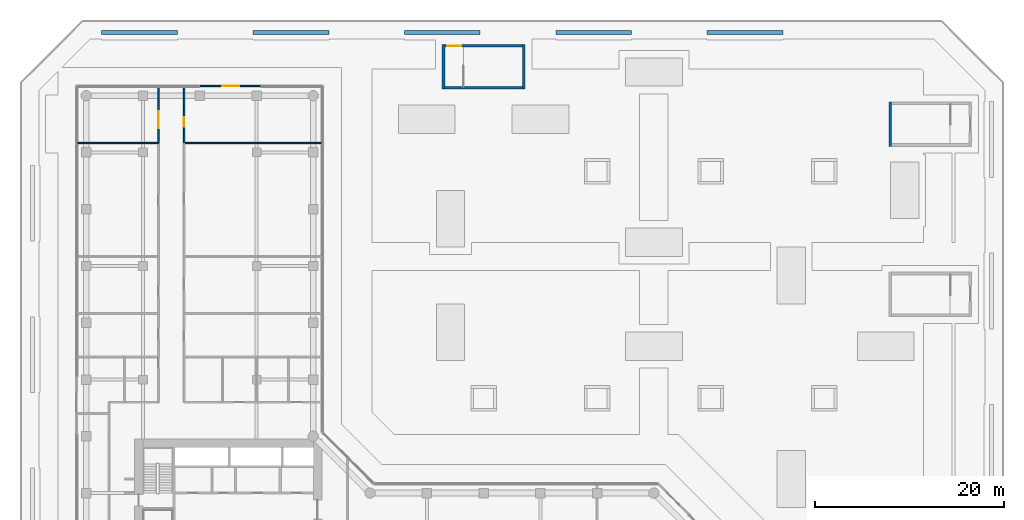
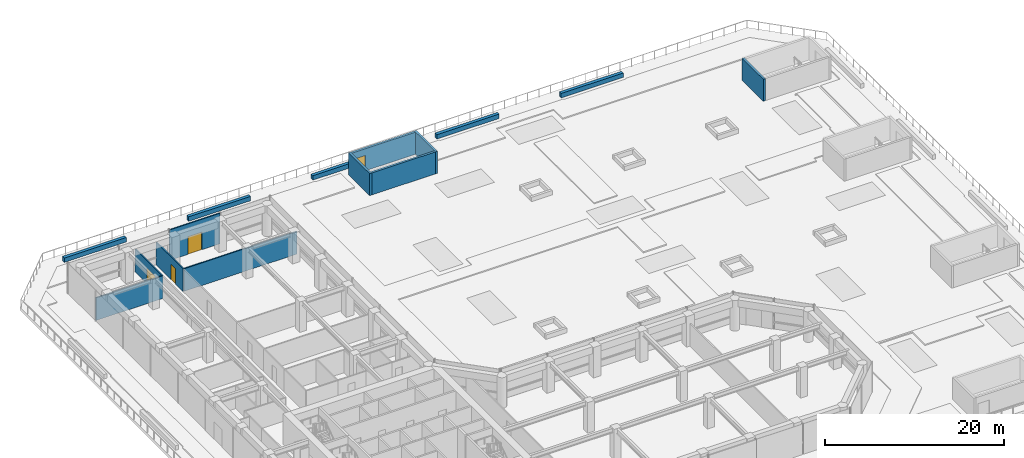
# One storey, part 28 of 31: 15 walls, 4 doors, 4 openings.
"""IFC4 building model written with IfcOpenShell, lengths in metres."""

from ifc_helpers import new_model, si_unit, direction, frame, frame_2d, origin, place, context, subcontext, project, spatial, rectangle, extrude, material, layer, layer_set, type_object, element, fill, save


model = new_model("IFC4")

# Units and contexts
model_context = context("Model", 3, precision=1e-05, world=origin(), true_north=direction((0.0, 1.0)))
body_context = subcontext(model_context, "Body", "Model", "MODEL_VIEW")
ifc_project = project(units=[si_unit("LENGTHUNIT", "METRE"), si_unit("AREAUNIT", "SQUARE_METRE"), si_unit("VOLUMEUNIT", "CUBIC_METRE"), si_unit("PLANEANGLEUNIT", "RADIAN"), si_unit("MASSUNIT", "GRAM", prefix="KILO")], contexts=[model_context])

# Site, building, storey
site_placement = place(None, origin())
site = spatial("IfcSite", under=ifc_project, at=site_placement, CompositionType="ELEMENT")
building_placement = place(site_placement, origin())
building = spatial("IfcBuilding", under=site, at=building_placement, Name="Welwitschia Terrace Campus", CompositionType="ELEMENT")
storey_placement = place(building_placement, frame((0.0, 0.0, 11.0)))
storey = spatial("IfcBuildingStorey", under=building, at=storey_placement, Name="L02", CompositionType="ELEMENT", Elevation=11.0)

# Wall, opening, door
ifc_material_1 = material(Name="Concrete C40/50", Category="concrete")
ifc_layer_1 = layer(ifc_material_1, 0.139892578125)
ifc_layer_set_1 = layer_set([ifc_layer_1], Name="Concrete C40/50")
wall_type_1 = type_object("IfcWallType", Name="Clad wall 140", PredefinedType="SOLIDWALL", material=ifc_layer_set_1)
wall_1_placement = place(storey_placement, frame((18.510009765625, 63.02001953125, 0.0), z_axis=(0.0, 0.0, 1.0), x_axis=(-1.0, 0.0, 0.0)))
wall_1 = element("IfcWall", 1, at=wall_1_placement, inside=storey, type_object=wall_type_1, Name="Clad wall L02.deck door N", PredefinedType="SOLIDWALL", context=body_context, shape_type="SweptSolid", body=[
    extrude(rectangle(XDim=6.510009765625, YDim=0.139892578125, at=frame_2d((3.2548828125, 0.0))), origin(), (0.0, 0.0, 1.0), 4.14990234375),
])
opening_1_placement = place(wall_1_placement, frame((2.35498046875, 0.0, 0.0)))
opening_1 = element("IfcOpeningElement", 2, at=opening_1_placement, cuts=wall_1, Name="Opening DE3", PredefinedType="OPENING", context=body_context, shape_type="SweptSolid", body=[
    extrude(rectangle(XDim=1.800048828125, YDim=2.39990234375, at=frame_2d((0.89990234375, 1.199951171875))), frame((0.0, 0.079833984375, 0.0), z_axis=(0.0, -1.0, 0.0), x_axis=(1.0, 0.0, 0.0)), (0.0, 0.0, 1.0), 0.159912109375),
])
ifc_material_2 = material(Name="Bronze anodised aluminium and glass", Category="aluminium")
door_type_1 = type_object("IfcDoorType", Name="Terrace door 1800x2400", OperationType="DOUBLE_DOOR_DOUBLE_SWING", PredefinedType="DOOR", material=ifc_material_2)
door_1_placement = place(opening_1_placement, origin())
door_1 = element("IfcDoor", 3, at=door_1_placement, inside=storey, type_object=door_type_1, Name="Door L02:N", OperationType="DOUBLE_DOOR_DOUBLE_SWING", OverallHeight=2.39990234375, OverallWidth=1.800048828125, PredefinedType="DOOR", context=body_context, shape_type="SweptSolid", body=[
    extrude(rectangle(XDim=1.800048828125, YDim=2.39990234375, at=frame_2d((0.89990234375, 1.199951171875))), frame((0.0, 0.02490234375, 0.0), z_axis=(0.0, -1.0, 0.0), x_axis=(1.0, 0.0, 0.0)), (0.0, 0.0, 1.0), 0.050048828125),
])
fill(opening_1, door_1)

# Wall
ifc_material_3 = material(Name="Gypsum board on steel studs", Category="steel")
ifc_layer_2 = layer(ifc_material_3, 0.14990234375)
ifc_layer_set_2 = layer_set([ifc_layer_2], Name="Gypsum board on steel studs")
wall_type_2 = type_object("IfcWallType", Name="Corridor partition 150 EI 30", PredefinedType="PARTITIONING", material=ifc_layer_set_2)
wall_2_placement = place(storey_placement, frame((-0.955078125, 57.0, 0.0), z_axis=(0.0, 0.0, 1.0), x_axis=(1.0, 0.0, 0.0)))
element("IfcWall", 4, at=wall_2_placement, inside=storey, type_object=wall_type_2, Name="Partition", PredefinedType="PARTITIONING", context=body_context, shape_type="SweptSolid", body=[
    extrude(rectangle(XDim=8.60498046875, YDim=0.14990234375, at=frame_2d((4.302490234375, 0.0))), origin(), (0.0, 0.0, 1.0), 3.080078125),
])

# Wall, opening, door
wall_3_placement = place(storey_placement, frame((7.64990234375, 62.969970703125, 0.0), z_axis=(0.0, 0.0, 1.0), x_axis=(0.0, -1.0, 0.0)))
wall_3 = element("IfcWall", 5, at=wall_3_placement, inside=storey, type_object=wall_type_2, Name="Partition", PredefinedType="PARTITIONING", context=body_context, shape_type="SweptSolid", body=[
    extrude(rectangle(XDim=5.969970703125, YDim=0.14990234375, at=frame_2d((2.98486328125, 0.0))), origin(), (0.0, 0.0, 1.0), 3.080078125),
])
opening_2_placement = place(wall_3_placement, frame((2.60009765625, 0.0, 0.0)))
opening_2 = element("IfcOpeningElement", 6, at=opening_2_placement, cuts=wall_3, Name="Opening DI18", PredefinedType="OPENING", context=body_context, shape_type="SweptSolid", body=[
    extrude(rectangle(XDim=1.800048828125, YDim=2.10009765625, at=frame_2d((0.89990234375, 1.050048828125))), frame((0.0, 0.0849609375, 0.0), z_axis=(0.0, -1.0, 0.0), x_axis=(1.0, 0.0, 0.0)), (0.0, 0.0, 1.0), 0.169921875),
])
ifc_material_4 = material(Name="Timber veneered door", Category="wood")
door_type_2 = type_object("IfcDoorType", Name="Interior door DI18", OperationType="DOUBLE_DOOR_SINGLE_SWING", PredefinedType="DOOR", material=ifc_material_4)
door_2_placement = place(opening_2_placement, origin())
door_2 = element("IfcDoor", 7, at=door_2_placement, inside=storey, type_object=door_type_2, Name="Door L02 100", OperationType="SINGLE_SWING_LEFT", OverallHeight=2.10009765625, OverallWidth=1.800048828125, PredefinedType="DOOR", context=body_context, shape_type="SweptSolid", body=[
    extrude(rectangle(XDim=1.800048828125, YDim=2.10009765625, at=frame_2d((0.89990234375, 1.050048828125))), frame((0.0, 0.02490234375, 0.0), z_axis=(0.0, -1.0, 0.0), x_axis=(1.0, 0.0, 0.0)), (0.0, 0.0, 1.0), 0.050048828125),
])
fill(opening_2, door_2)

# Wall
wall_4_placement = place(storey_placement, frame((10.35009765625, 57.0, 0.0), z_axis=(0.0, 0.0, 1.0), x_axis=(1.0, 0.0, 0.0)))
element("IfcWall", 8, at=wall_4_placement, inside=storey, type_object=wall_type_2, Name="Partition", PredefinedType="PARTITIONING", context=body_context, shape_type="SweptSolid", body=[
    extrude(rectangle(XDim=14.60498046875, YDim=0.14990234375, at=frame_2d((7.302490234375, 0.0))), origin(), (0.0, 0.0, 1.0), 3.080078125),
])

# Wall, opening, door
wall_5_placement = place(storey_placement, frame((10.35009765625, 62.969970703125, 0.0), z_axis=(0.0, 0.0, 1.0), x_axis=(0.0, -1.0, 0.0)))
wall_5 = element("IfcWall", 9, at=wall_5_placement, inside=storey, type_object=wall_type_2, Name="Partition", PredefinedType="PARTITIONING", context=body_context, shape_type="SweptSolid", body=[
    extrude(rectangle(XDim=5.969970703125, YDim=0.14990234375, at=frame_2d((2.98486328125, 0.0))), origin(), (0.0, 0.0, 1.0), 3.080078125),
])
opening_3_placement = place(wall_5_placement, frame((3.27001953125, 0.0, 0.0)))
opening_3 = element("IfcOpeningElement", 10, at=opening_3_placement, cuts=wall_5, Name="Opening DI10", PredefinedType="OPENING", context=body_context, shape_type="SweptSolid", body=[
    extrude(rectangle(XDim=1.0, YDim=2.10009765625, at=frame_2d((0.5, 1.050048828125))), frame((0.0, 0.0849609375, 0.0), z_axis=(0.0, -1.0, 0.0), x_axis=(1.0, 0.0, 0.0)), (0.0, 0.0, 1.0), 0.169921875),
])
ifc_material_5 = material(Name="Timber veneered door", Category="wood")
door_type_3 = type_object("IfcDoorType", Name="Interior door DI10", OperationType="NOTDEFINED", PredefinedType="DOOR", material=ifc_material_5)
door_3_placement = place(opening_3_placement, origin())
door_3 = element("IfcDoor", 11, at=door_3_placement, inside=storey, type_object=door_type_3, Name="Door L02 104", OperationType="SINGLE_SWING_LEFT", OverallHeight=2.10009765625, OverallWidth=1.0, PredefinedType="DOOR", context=body_context, shape_type="SweptSolid", body=[
    extrude(rectangle(XDim=1.0, YDim=2.10009765625, at=frame_2d((0.5, 1.050048828125))), frame((0.0, 0.02490234375, 0.0), z_axis=(0.0, -1.0, 0.0), x_axis=(1.0, 0.0, 0.0)), (0.0, 0.0, 1.0), 0.050048828125),
])
fill(opening_3, door_3)

# Walls
ifc_material_6 = material(Name="Concrete C50/60", Category="concrete")
ifc_layer_3 = layer(ifc_material_6, 0.27490234375)
ifc_layer_set_3 = layer_set([ifc_layer_3], Name="Concrete C50/60")
wall_type_3 = type_object("IfcWallType", Name="Head house wall 275 Concrete C50/60", PredefinedType="SHEAR", material=ifc_layer_set_3)
wall_6_placement = place(storey_placement, frame((84.96240234375, 56.64990234375, 0.0), z_axis=(0.0, 0.0, 1.0), x_axis=(0.0, 1.0, 0.0)))
element("IfcWall", 12, at=wall_6_placement, inside=storey, type_object=wall_type_3, Name="Core wall", PredefinedType="SHEAR", context=body_context, shape_type="SweptSolid", body=[
    extrude(rectangle(XDim=4.7001953125, YDim=0.27490234375, at=frame_2d((2.35009765625, 0.0))), origin(), (0.0, 0.0, 1.0), 3.0),
])
for number, where, z_axis, x_axis, name in (
    (13, (37.762451171875, 62.699951171875, 0.0), (0.0, 0.0, 1.0), (0.0, 1.0, 0.0), "Core wall"),
    (14, (46.237548828125, 62.699951171875, 0.0), (0.0, 0.0, 1.0), (0.0, 1.0, 0.0), "Core wall"),
):
    element("IfcWall", number, at=place(storey_placement, frame(where, z_axis=z_axis, x_axis=x_axis)), inside=storey, type_object=wall_type_3, Name=name, PredefinedType="SHEAR", context=body_context, shape_type="SweptSolid", body=[
        extrude(rectangle(XDim=4.699951171875, YDim=0.27490234375, at=frame_2d((2.35009765625, 0.0))), origin(), (0.0, 0.0, 1.0), 3.0),
    ])
wall_7_placement = place(storey_placement, frame((37.89990234375, 62.83740234375, 0.0), z_axis=(0.0, 0.0, 1.0), x_axis=(1.0, 0.0, 0.0)))
element("IfcWall", 15, at=wall_7_placement, inside=storey, type_object=wall_type_3, Name="Core wall", PredefinedType="SHEAR", context=body_context, shape_type="SweptSolid", body=[
    extrude(rectangle(XDim=8.2001953125, YDim=0.27490234375, at=frame_2d((4.10009765625, 0.0))), origin(), (0.0, 0.0, 1.0), 3.0),
])

# Wall, opening, door
wall_8_placement = place(storey_placement, frame((37.89990234375, 67.262451171875, 0.0), z_axis=(0.0, 0.0, 1.0), x_axis=(1.0, 0.0, 0.0)))
wall_8 = element("IfcWall", 16, at=wall_8_placement, inside=storey, type_object=wall_type_3, Name="Core wall", PredefinedType="SHEAR", context=body_context, shape_type="SweptSolid", body=[
    extrude(rectangle(XDim=8.2001953125, YDim=0.27490234375, at=frame_2d((4.10009765625, 0.0))), origin(), (0.0, 0.0, 1.0), 3.0),
])
opening_4_placement = place(wall_8_placement, frame((0.25, 0.0, 0.0)))
opening_4 = element("IfcOpeningElement", 17, at=opening_4_placement, cuts=wall_8, Name="Opening DS15", PredefinedType="OPENING", context=body_context, shape_type="SweptSolid", body=[
    extrude(rectangle(XDim=1.5, YDim=2.10009765625, at=frame_2d((0.75, 1.050048828125))), frame((0.0, 0.1474609375, 0.0), z_axis=(0.0, -1.0, 0.0), x_axis=(1.0, 0.0, 0.0)), (0.0, 0.0, 1.0), 0.294921875),
])
ifc_material_7 = material(Name="Steel S275", Category="steel")
door_type_4 = type_object("IfcDoorType", Name="Core door DS15", OperationType="DOUBLE_DOOR_SINGLE_SWING", PredefinedType="DOOR", material=ifc_material_7)
door_4_placement = place(opening_4_placement, origin())
door_4 = element("IfcDoor", 18, at=door_4_placement, inside=storey, type_object=door_type_4, Name="Door P7", OperationType="DOUBLE_DOOR_SINGLE_SWING", OverallHeight=2.10009765625, OverallWidth=1.5, PredefinedType="DOOR", context=body_context, shape_type="SweptSolid", body=[
    extrude(rectangle(XDim=1.5, YDim=2.10009765625, at=frame_2d((0.75, 1.050048828125))), frame((0.0, 0.02490234375, 0.0), z_axis=(0.0, -1.0, 0.0), x_axis=(1.0, 0.0, 0.0)), (0.0, 0.0, 1.0), 0.050048828125),
])
fill(opening_4, door_4)

# Walls
ifc_material_8 = material(Name="Concrete C40/50", Category="concrete")
ifc_layer_4 = layer(ifc_material_8, 0.39990234375)
ifc_layer_set_4 = layer_set([ifc_layer_4], Name="Concrete C40/50")
wall_type_4 = type_object("IfcWallType", Name="Planter wall 400", PredefinedType="SOLIDWALL", material=ifc_layer_set_4)
for number, where, z_axis, x_axis, name in (
    (19, (1.635498046875, 68.679931640625, 0.0), (0.0, 0.0, 1.0), (1.0, 0.0, 0.0), "PLANTER"),
    (20, (17.635498046875, 68.679931640625, 0.0), (0.0, 0.0, 1.0), (1.0, 0.0, 0.0), "PLANTER"),
    (21, (33.635498046875, 68.679931640625, 0.0), (0.0, 0.0, 1.0), (1.0, 0.0, 0.0), "PLANTER"),
    (22, (49.635498046875, 68.679931640625, 0.0), (0.0, 0.0, 1.0), (1.0, 0.0, 0.0), "PLANTER"),
    (23, (65.635498046875, 68.679931640625, 0.0), (0.0, 0.0, 1.0), (1.0, 0.0, 0.0), "PLANTER"),
):
    element("IfcWall", number, at=place(storey_placement, frame(where, z_axis=z_axis, x_axis=x_axis)), inside=storey, type_object=wall_type_4, Name=name, PredefinedType="SOLIDWALL", context=body_context, shape_type="SweptSolid", body=[
        extrude(rectangle(XDim=8.0, YDim=0.39990234375, at=frame_2d((4.0, 0.0))), origin(), (0.0, 0.0, 1.0), 0.60009765625),
    ])

save(model, "model.ifc")
